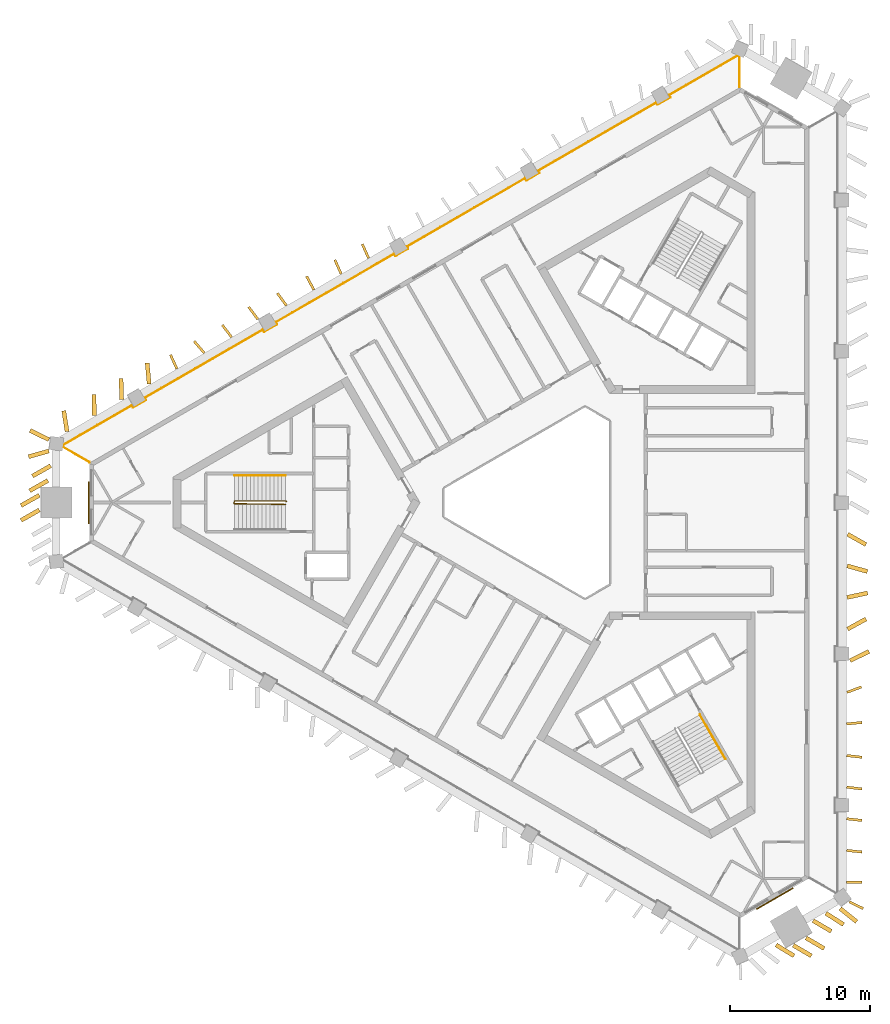
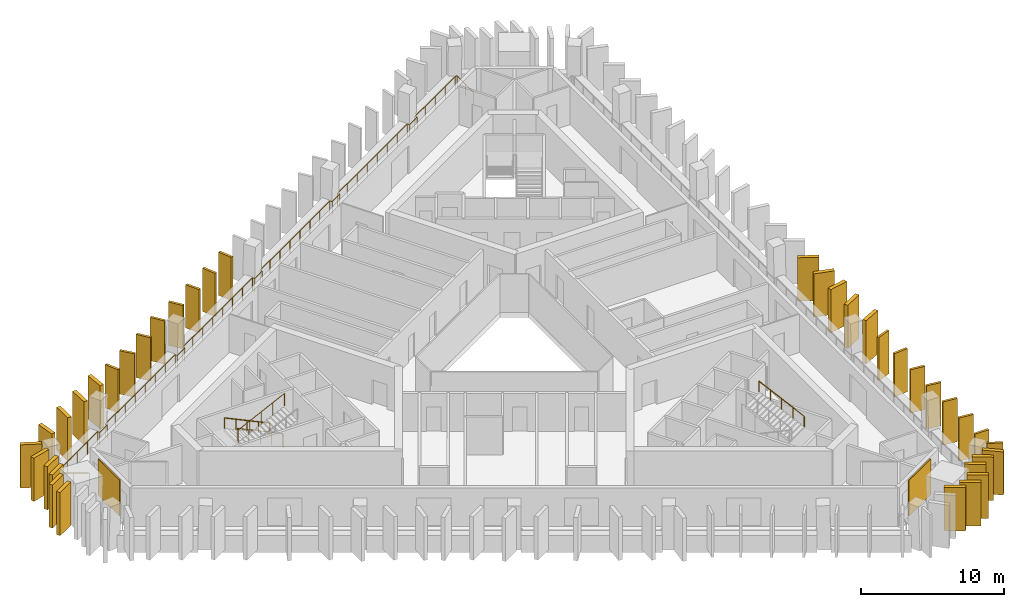
# One storey, part 9 of 10: 37 shading devices, 4 railings, 2 coverings.
"""IFC4 building model written with IfcOpenShell, lengths in metres."""

import ifcopenshell
import ifcopenshell.guid

model = None  # the IFC model being written
_history = None  # IfcOwnerHistory: only IFC2X3 demands one
_inside = {}  # id of a spatial element -> (the spatial element, [elements in it])
_under = {}  # id of a project, library or spatial element -> (it, [spatial elements below it])
_declared = {}  # id of a project -> (the project, [libraries it declares])
_typed = {}  # id of a type object -> (the type object, [elements of that type])
_made_of = {}  # id of a material, layer set ... -> (it, [elements and type objects made of it])


def new_model(schema):
    """Start an empty IFC model of exactly this schema.

    Asked for "IFC4X3", IfcOpenShell would pick the latest addendum, in which some entities
    have other attributes; the version numbers below select the first issue.
    IFC2X3 requires an IfcOwnerHistory on every rooted entity: one is made here for all.
    """
    global model, _history
    if schema == "IFC4X3":
        model = ifcopenshell.file(schema_version=(4, 3, 0, 0))
    else:
        model = ifcopenshell.file(schema=schema)
    _inside.clear()
    _under.clear()
    _declared.clear()
    _typed.clear()
    _made_of.clear()
    _history = None
    if model.schema == "IFC2X3":
        org = make("IfcOrganization", Name="unknown")
        user = make(
            "IfcPersonAndOrganization",
            ThePerson=make("IfcPerson", FamilyName="unknown"),
            TheOrganization=org,
        )
        app = make(
            "IfcApplication",
            ApplicationDeveloper=org,
            Version="unknown",
            ApplicationFullName="unknown",
            ApplicationIdentifier="unknown",
        )
        _history = make(
            "IfcOwnerHistory",
            OwningUser=user,
            OwningApplication=app,
            ChangeAction="ADDED",
            CreationDate=0,
        )
    return model


def make(cls, **values):
    """One entity of the class cls with the attributes given. An attribute that is None is left unset."""
    return model.create_entity(
        cls, **{name: value for name, value in values.items() if value is not None}
    )


def rooted(cls, **values):
    """An entity with a GlobalId (a new one), such as an element, a storey or a relation."""
    return make(cls, GlobalId=ifcopenshell.guid.new(), OwnerHistory=_history, **values)


def si_unit(unit_type, name, prefix=None):
    """IfcSIUnit, for example si_unit("LENGTHUNIT", "METRE", prefix="MILLI")."""
    return make("IfcSIUnit", UnitType=unit_type, Prefix=prefix, Name=name)


def assignment(units):
    """IfcUnitAssignment: the units of a project."""
    return None if units is None else make("IfcUnitAssignment", Units=units)


def point(xyz):
    """IfcCartesianPoint."""
    return None if xyz is None else make("IfcCartesianPoint", Coordinates=xyz)


def direction(xyz):
    """IfcDirection."""
    return None if xyz is None else make("IfcDirection", DirectionRatios=xyz)


def frame(location, z_axis=None, x_axis=None):
    """IfcAxis2Placement3D, a coordinate frame: its origin and axes. An axis left out is left unset."""
    return make(
        "IfcAxis2Placement3D",
        Location=point(location),
        Axis=direction(z_axis),
        RefDirection=direction(x_axis),
    )


def frame_2d(location, x_axis=None):
    """IfcAxis2Placement2D, a coordinate frame in the plane: its origin and x axis."""
    return make(
        "IfcAxis2Placement2D", Location=point(location), RefDirection=direction(x_axis)
    )


def origin():
    """The frame at (0, 0, 0) with its axes left unset."""
    return frame((0.0, 0.0, 0.0))


def origin_2d():
    """The frame at (0, 0) in the plane with its x axis left unset."""
    return frame_2d((0.0, 0.0))


def place(relative_to, where):
    """IfcLocalPlacement: puts the frame where relative to a parent placement (None: the world)."""
    return make(
        "IfcLocalPlacement", PlacementRelTo=relative_to, RelativePlacement=where
    )


def context(
    kind, dimensions, precision=None, world=None, true_north=None, identifier=None
):
    """IfcGeometricRepresentationContext, for example the 3D "Model" context."""
    return make(
        "IfcGeometricRepresentationContext",
        ContextIdentifier=identifier,
        ContextType=kind,
        CoordinateSpaceDimension=dimensions,
        Precision=precision,
        WorldCoordinateSystem=world,
        TrueNorth=true_north,
    )


def subcontext(parent, identifier, kind, view, scale=None):
    """IfcGeometricRepresentationSubContext, for example "Body" below "Model"."""
    return make(
        "IfcGeometricRepresentationSubContext",
        ContextIdentifier=identifier,
        ContextType=kind,
        ParentContext=parent,
        TargetScale=scale,
        TargetView=view,
    )


def project(units=None, contexts=None):
    """IfcProject with its units and contexts."""
    return rooted(
        "IfcProject",
        Name="project",
        RepresentationContexts=contexts,
        UnitsInContext=assignment(units),
    )


def spatial(cls, under=None, at=None, **own):
    """A site, building, storey or space (cls), placed at a placement, below another one or the project."""
    s = rooted(cls, ObjectPlacement=at, **own)
    if under is not None:
        _under.setdefault(under.id(), (under, []))[1].append(s)
    return s


def profile(cls, at=None, kind="AREA", **sizes):
    """A parametric profile (cls). Its sizes go by their IFC names, for example OverallWidth=200.0."""
    return make(cls, ProfileType=kind, Position=at, **sizes)


def rectangle(**sizes):
    """IfcRectangleProfileDef."""
    return profile("IfcRectangleProfileDef", **sizes)


def circle(**sizes):
    """IfcCircleProfileDef."""
    return profile("IfcCircleProfileDef", **sizes)


def extrude(swept, where, along, depth):
    """IfcExtrudedAreaSolid: the profile swept, set in the frame where, extruded along a direction by depth."""
    return make(
        "IfcExtrudedAreaSolid",
        SweptArea=swept,
        Position=where,
        ExtrudedDirection=direction(along),
        Depth=depth,
    )


def shape(context_of_items, identifier, shape_type, items):
    """IfcShapeRepresentation: the items that make up one representation, for example the "Body"."""
    return make(
        "IfcShapeRepresentation",
        ContextOfItems=context_of_items,
        RepresentationIdentifier=identifier,
        RepresentationType=shape_type,
        Items=items,
    )


def material(Name=None, Category=None):
    """IfcMaterial."""
    return make("IfcMaterial", Name=Name, Category=Category)


def layer(
    of_material, thickness, ventilated=None, Name=None, Category=None, Priority=None
):
    """IfcMaterialLayer: one layer of a wall or slab, of a material (None: an air gap)."""
    return make(
        "IfcMaterialLayer",
        Material=of_material,
        LayerThickness=thickness,
        IsVentilated=ventilated,
        Name=Name,
        Category=Category,
        Priority=Priority,
    )


def layer_set(layers, Name=None):
    """IfcMaterialLayerSet."""
    return make("IfcMaterialLayerSet", MaterialLayers=layers, LayerSetName=Name)


def made_of(thing, what):
    """Note that an element or type object is made of a material, layer set ...; save() writes the relation."""
    if what is not None:
        _made_of.setdefault(what.id(), (what, []))[1].append(thing)
    return thing


def type_object(cls, material=None, **own):
    """A type object (cls), such as IfcWallType, which elements share."""
    return made_of(rooted(cls, **own), material)


def element(
    cls,
    number,
    at=None,
    inside=None,
    cuts=None,
    type_object=None,
    material=None,
    context=None,
    identifier="Body",
    shape_type=None,
    held_by="IfcProductDefinitionShape",
    body=None,
    shapes=None,
    **own,
):
    """One element of the class cls, such as IfcWall. Its Tag is "e" and its number.

    at: its placement. inside: the storey or other place that contains it. cuts: it is an
    opening in that element (IfcRelVoidsElement). A single representation is given by context,
    identifier, shape_type and body (its items); several are given by shapes. held_by: the class
    of the entity that holds the representations. save() writes the other relations.
    """
    e = rooted(cls, Tag="e%d" % number, ObjectPlacement=at, **own)
    if body is not None:
        shapes = [shape(context, identifier, shape_type, body)]
    if shapes is not None:
        e.Representation = make(held_by, Representations=shapes)
    if inside is not None:
        _inside.setdefault(inside.id(), (inside, []))[1].append(e)
    if cuts is not None:
        rooted(
            "IfcRelVoidsElement", RelatingBuildingElement=cuts, RelatedOpeningElement=e
        )
    if type_object is not None:
        _typed.setdefault(type_object.id(), (type_object, []))[1].append(e)
    return made_of(e, material)


def aggregate(whole, parts):
    """IfcRelAggregates: a whole, such as a stair, and the parts it consists of."""
    return rooted("IfcRelAggregates", RelatingObject=whole, RelatedObjects=parts)


def save(model, path):
    """Write the relations noted so far, then the file.

    IfcRelAggregates (storeys below a building ...), IfcRelContainedInSpatialStructure (elements
    in a storey), IfcRelDefinesByType, IfcRelAssociatesMaterial and IfcRelDeclares: one each for
    every whole, place, type object, material and project.
    """
    for whole, parts in _under.values():
        aggregate(whole, parts)
    for where, things in _inside.values():
        rooted(
            "IfcRelContainedInSpatialStructure",
            RelatedElements=things,
            RelatingStructure=where,
        )
    for kind, things in _typed.values():
        rooted("IfcRelDefinesByType", RelatedObjects=things, RelatingType=kind)
    for what, things in _made_of.values():
        rooted("IfcRelAssociatesMaterial", RelatedObjects=things, RelatingMaterial=what)
    for by, libraries in _declared.values():
        rooted("IfcRelDeclares", RelatingContext=by, RelatedDefinitions=libraries)
    model.write(path)


model = new_model("IFC4")

# Units and contexts
model_context = context("Model", 3, precision=1e-05, world=origin(), true_north=direction((0.0, 1.0)))
body_context = subcontext(model_context, "Body", "Model", "MODEL_VIEW")
ifc_project = project(units=[si_unit("LENGTHUNIT", "METRE"), si_unit("AREAUNIT", "SQUARE_METRE"), si_unit("VOLUMEUNIT", "CUBIC_METRE"), si_unit("PLANEANGLEUNIT", "RADIAN"), si_unit("MASSUNIT", "GRAM", prefix="KILO")], contexts=[model_context])

# Site, building, storey
site_placement = place(None, origin())
site = spatial("IfcSite", under=ifc_project, at=site_placement, CompositionType="ELEMENT")
building_placement = place(site_placement, origin())
building = spatial("IfcBuilding", under=site, at=building_placement, Name="Jabali Bay Hotel Tower and Convention Centre", CompositionType="ELEMENT")
storey_placement = place(building_placement, frame((0.0, 0.0, 174.800048828125)))
storey = spatial("IfcBuildingStorey", under=building, at=storey_placement, Name="L42", CompositionType="ELEMENT", Elevation=174.800048828125)

# Railing
ifc_material_1 = material(Name="Glass", Category="glass")
railing_type_1 = type_object("IfcRailingType", Name="Loggia glass guard 1100", PredefinedType="BALUSTRADE", material=ifc_material_1)
railing_1_placement = place(storey_placement, frame((42.429931640625, 82.877197265625, 0.0)))
element("IfcRailing", 1, at=railing_1_placement, inside=storey, type_object=railing_type_1, Name="Loggia glass guard L42", PredefinedType="BALUSTRADE", context=body_context, shape_type="SweptSolid", body=[
    extrude(circle(Radius=0.02490234375, at=origin_2d()), frame((0.0, 0.0, 1.0751953125), z_axis=(-0.866055796367, 0.499947354807, 0.0), x_axis=(-0.495670235881, -0.858646568971, 0.13052619222)), (0.0, 0.0, 1.0), 2.192626953125),
    extrude(circle(Radius=0.02490234375, at=origin_2d()), frame((-1.89892578125, 1.09619140625, 1.0751953125), z_axis=(0.117850030494, 0.993031404495, 0.0), x_axis=(-0.984535883169, 0.116841807147, 0.13052619222)), (0.0, 0.0, 1.0), 0.12646484375),
    extrude(circle(Radius=0.02490234375, at=origin_2d()), frame((-1.884033203125, 1.2216796875, 1.0751953125), z_axis=(0.866030760678, 0.499990721473, 0.0), x_axis=(-0.495713231539, 0.858621747466, 0.13052619222)), (0.0, 0.0, 1.0), 5.671875),
    extrude(circle(Radius=0.02490234375, at=origin_2d()), frame((3.028076171875, 4.0576171875, 1.0751953125), z_axis=(0.500486622847, -0.865744269604, 0.0), x_axis=(0.858337707362, 0.496204890408, 0.13052619222)), (0.0, 0.0, 1.0), 0.175048828125),
    extrude(circle(Radius=0.02490234375, at=origin_2d()), frame((3.11572265625, 3.906005859375, 1.0751953125), z_axis=(0.86592997719, 0.500165247297, 0.0), x_axis=(-0.495886264271, 0.858521826194, 0.13052619222)), (0.0, 0.0, 1.0), 1.050048828125),
    extrude(circle(Radius=0.02490234375, at=origin_2d()), frame((4.02490234375, 4.43115234375, 1.0751953125), z_axis=(-0.500044870432, 0.865999496279, 0.0), x_axis=(-0.858590750538, -0.495766917246, 0.13052619222)), (0.0, 0.0, 1.0), 0.1748046875),
    extrude(circle(Radius=0.02490234375, at=origin_2d()), frame((3.9375, 4.58251953125, 1.0751953125), z_axis=(0.866020806236, 0.500007963104, 0.0), x_axis=(-0.495730325665, 0.858611878185, 0.13052619222)), (0.0, 0.0, 1.0), 9.745849609375),
    extrude(circle(Radius=0.02490234375, at=origin_2d()), frame((12.377685546875, 9.45556640625, 1.0751953125), z_axis=(0.499440622861, -0.866348119543, 0.0), x_axis=(0.858936391282, 0.495167839097, 0.13052619222)), (0.0, 0.0, 1.0), 0.175048828125),
    extrude(circle(Radius=0.02490234375, at=origin_2d()), frame((12.465087890625, 9.303955078125, 1.0751953125), z_axis=(0.866088799389, 0.499890179513, 0.0), x_axis=(-0.495613549729, 0.858679289647, 0.13052619222)), (0.0, 0.0, 1.0), 1.050048828125),
    extrude(circle(Radius=0.02490234375, at=origin_2d()), frame((13.37451171875, 9.828857421875, 1.0751953125), z_axis=(-0.500486622847, 0.865744269604, 0.0), x_axis=(-0.858337707362, -0.496204890408, 0.13052619222)), (0.0, 0.0, 1.0), 0.175048828125),
    extrude(circle(Radius=0.02490234375, at=origin_2d()), frame((13.286865234375, 9.98046875, 1.0751953125), z_axis=(0.866020806236, 0.500007963104, 0.0), x_axis=(-0.495730325665, 0.858611878185, 0.13052619222)), (0.0, 0.0, 1.0), 9.745849609375),
    extrude(circle(Radius=0.02490234375, at=origin_2d()), frame((21.72705078125, 14.853515625, 1.0751953125), z_axis=(0.500486622847, -0.865744269604, 0.0), x_axis=(0.858337707362, 0.496204890408, 0.13052619222)), (0.0, 0.0, 1.0), 0.175048828125),
    extrude(circle(Radius=0.02490234375, at=origin_2d()), frame((21.814697265625, 14.701904296875, 1.0751953125), z_axis=(0.866030680601, 0.499990860175, 0.0), x_axis=(-0.495713369054, 0.858621668074, 0.13052619222)), (0.0, 0.0, 1.0), 1.0498046875),
    extrude(circle(Radius=0.02490234375, at=origin_2d()), frame((22.723876953125, 15.226806640625, 1.0751953125), z_axis=(-0.499440622861, 0.866348119543, 0.0), x_axis=(-0.858936391282, -0.495167839097, 0.13052619222)), (0.0, 0.0, 1.0), 0.175048828125),
    extrude(circle(Radius=0.02490234375, at=origin_2d()), frame((22.636474609375, 15.37841796875, 1.0751953125), z_axis=(0.866025390831, 0.500000022436, 0.0), x_axis=(-0.495722452931, 0.858616423559, 0.13052619222)), (0.0, 0.0, 1.0), 9.74560546875),
    extrude(circle(Radius=0.02490234375, at=origin_2d()), frame((31.076416015625, 20.251220703125, 1.0751953125), z_axis=(0.501091290591, -0.865394429433, 0.0), x_axis=(0.857990860123, 0.496804385136, 0.13052619222)), (0.0, 0.0, 1.0), 0.1748046875),
    extrude(circle(Radius=0.02490234375, at=origin_2d()), frame((31.1640625, 20.099853515625, 1.0751953125), z_axis=(0.866030680601, 0.499990860175, 0.0), x_axis=(-0.495713369054, 0.858621668074, 0.13052619222)), (0.0, 0.0, 1.0), 1.0498046875),
    extrude(circle(Radius=0.02490234375, at=origin_2d()), frame((32.0732421875, 20.624755859375, 1.0751953125), z_axis=(-0.499440622861, 0.866348119543, 0.0), x_axis=(-0.858936391282, -0.495167839097, 0.13052619222)), (0.0, 0.0, 1.0), 0.175048828125),
    extrude(circle(Radius=0.02490234375, at=origin_2d()), frame((31.98583984375, 20.7763671875, 1.0751953125), z_axis=(0.866031653467, 0.499989175076, 0.0), x_axis=(-0.495711698372, 0.858622632617, 0.13052619222)), (0.0, 0.0, 1.0), 9.745849609375),
    extrude(circle(Radius=0.02490234375, at=origin_2d()), frame((40.426025390625, 25.649169921875, 1.0751953125), z_axis=(0.499440622861, -0.866348119543, 0.0), x_axis=(0.858936391282, 0.495167839097, 0.13052619222)), (0.0, 0.0, 1.0), 0.175048828125),
    extrude(circle(Radius=0.02490234375, at=origin_2d()), frame((40.513427734375, 25.49755859375, 1.0751953125), z_axis=(0.865988129768, 0.500064554934, 0.0), x_axis=(-0.495786433345, 0.858579481269, 0.13052619222)), (0.0, 0.0, 1.0), 1.050048828125),
    extrude(circle(Radius=0.02490234375, at=origin_2d()), frame((41.4228515625, 26.022705078125, 1.0751953125), z_axis=(-0.500486622847, 0.865744269604, 0.0), x_axis=(-0.858337707362, -0.496204890408, 0.13052619222)), (0.0, 0.0, 1.0), 0.175048828125),
    extrude(circle(Radius=0.02490234375, at=origin_2d()), frame((41.335205078125, 26.17431640625, 1.0751953125), z_axis=(0.866041520497, 0.499972083996, 0.0), x_axis=(-0.495694753509, 0.858632415233, 0.13052619222)), (0.0, 0.0, 1.0), 5.672119140625),
    extrude(circle(Radius=0.02490234375, at=origin_2d()), frame((46.24755859375, 29.01025390625, 1.0751953125), z_axis=(0.9195450827, -0.39298453008, 0.0), x_axis=(0.389622492947, 0.911678247044, 0.13052619222)), (0.0, 0.0, 1.0), 0.126220703125),
    extrude(circle(Radius=0.02490234375, at=origin_2d()), frame((46.363525390625, 28.960693359375, 1.0751953125), z_axis=(0.0, -1.0, 0.0), x_axis=(0.991444861374, 0.0, 0.13052619222)), (0.0, 0.0, 1.0), 2.19287109375),
    extrude(circle(Radius=0.02001953125, at=origin_2d()), origin(), (0.0, 0.0, 1.0), 1.050048828125),
    extrude(circle(Radius=0.02001953125, at=origin_2d()), frame((-0.949462890625, 0.548095703125, 0.0)), (0.0, 0.0, 1.0), 1.050048828125),
    extrude(circle(Radius=0.02001953125, at=origin_2d()), frame((-1.89892578125, 1.09619140625, 0.0)), (0.0, 0.0, 1.0), 1.050048828125),
    extrude(circle(Radius=0.02001953125, at=origin_2d()), frame((-1.884033203125, 1.2216796875, 0.0)), (0.0, 0.0, 1.0), 1.050048828125),
    extrude(circle(Radius=0.02001953125, at=origin_2d()), frame((-0.656005859375, 1.9306640625, 0.0)), (0.0, 0.0, 1.0), 1.050048828125),
    extrude(circle(Radius=0.02001953125, at=origin_2d()), frame((0.572021484375, 2.6396484375, 0.0)), (0.0, 0.0, 1.0), 1.050048828125),
    extrude(circle(Radius=0.02001953125, at=origin_2d()), frame((1.800048828125, 3.3486328125, 0.0)), (0.0, 0.0, 1.0), 1.050048828125),
    extrude(circle(Radius=0.02001953125, at=origin_2d()), frame((3.028076171875, 4.0576171875, 0.0)), (0.0, 0.0, 1.0), 1.050048828125),
    extrude(circle(Radius=0.02001953125, at=origin_2d()), frame((3.11572265625, 3.906005859375, 0.0)), (0.0, 0.0, 1.0), 1.050048828125),
    extrude(circle(Radius=0.02001953125, at=origin_2d()), frame((4.02490234375, 4.43115234375, 0.0)), (0.0, 0.0, 1.0), 1.050048828125),
    extrude(circle(Radius=0.02001953125, at=origin_2d()), frame((3.9375, 4.58251953125, 0.0)), (0.0, 0.0, 1.0), 1.050048828125),
    extrude(circle(Radius=0.02001953125, at=origin_2d()), frame((5.143310546875, 5.278564453125, 0.0)), (0.0, 0.0, 1.0), 1.050048828125),
    extrude(circle(Radius=0.02001953125, at=origin_2d()), frame((6.348876953125, 5.974853515625, 0.0)), (0.0, 0.0, 1.0), 1.050048828125),
    extrude(circle(Radius=0.02001953125, at=origin_2d()), frame((7.5546875, 6.6708984375, 0.0)), (0.0, 0.0, 1.0), 1.050048828125),
    extrude(circle(Radius=0.02001953125, at=origin_2d()), frame((8.760498046875, 7.3671875, 0.0)), (0.0, 0.0, 1.0), 1.050048828125),
    extrude(circle(Radius=0.02001953125, at=origin_2d()), frame((9.96630859375, 8.063232421875, 0.0)), (0.0, 0.0, 1.0), 1.050048828125),
    extrude(circle(Radius=0.02001953125, at=origin_2d()), frame((11.171875, 8.759521484375, 0.0)), (0.0, 0.0, 1.0), 1.050048828125),
    extrude(circle(Radius=0.02001953125, at=origin_2d()), frame((12.377685546875, 9.45556640625, 0.0)), (0.0, 0.0, 1.0), 1.050048828125),
    extrude(circle(Radius=0.02001953125, at=origin_2d()), frame((12.465087890625, 9.303955078125, 0.0)), (0.0, 0.0, 1.0), 1.050048828125),
    extrude(circle(Radius=0.02001953125, at=origin_2d()), frame((13.37451171875, 9.828857421875, 0.0)), (0.0, 0.0, 1.0), 1.050048828125),
    extrude(circle(Radius=0.02001953125, at=origin_2d()), frame((13.286865234375, 9.98046875, 0.0)), (0.0, 0.0, 1.0), 1.050048828125),
    extrude(circle(Radius=0.02001953125, at=origin_2d()), frame((14.49267578125, 10.676513671875, 0.0)), (0.0, 0.0, 1.0), 1.050048828125),
    extrude(circle(Radius=0.02001953125, at=origin_2d()), frame((15.6982421875, 11.372802734375, 0.0)), (0.0, 0.0, 1.0), 1.050048828125),
    extrude(circle(Radius=0.02001953125, at=origin_2d()), frame((16.904052734375, 12.06884765625, 0.0)), (0.0, 0.0, 1.0), 1.050048828125),
    extrude(circle(Radius=0.02001953125, at=origin_2d()), frame((18.10986328125, 12.76513671875, 0.0)), (0.0, 0.0, 1.0), 1.050048828125),
    extrude(circle(Radius=0.02001953125, at=origin_2d()), frame((19.315673828125, 13.461181640625, 0.0)), (0.0, 0.0, 1.0), 1.050048828125),
    extrude(circle(Radius=0.02001953125, at=origin_2d()), frame((20.521240234375, 14.157470703125, 0.0)), (0.0, 0.0, 1.0), 1.050048828125),
    extrude(circle(Radius=0.02001953125, at=origin_2d()), frame((21.72705078125, 14.853515625, 0.0)), (0.0, 0.0, 1.0), 1.050048828125),
    extrude(circle(Radius=0.02001953125, at=origin_2d()), frame((21.814697265625, 14.701904296875, 0.0)), (0.0, 0.0, 1.0), 1.050048828125),
    extrude(circle(Radius=0.02001953125, at=origin_2d()), frame((22.723876953125, 15.226806640625, 0.0)), (0.0, 0.0, 1.0), 1.050048828125),
    extrude(circle(Radius=0.02001953125, at=origin_2d()), frame((22.636474609375, 15.37841796875, 0.0)), (0.0, 0.0, 1.0), 1.050048828125),
    extrude(circle(Radius=0.02001953125, at=origin_2d()), frame((23.84228515625, 16.074462890625, 0.0)), (0.0, 0.0, 1.0), 1.050048828125),
    extrude(circle(Radius=0.02001953125, at=origin_2d()), frame((25.0478515625, 16.770751953125, 0.0)), (0.0, 0.0, 1.0), 1.050048828125),
    extrude(circle(Radius=0.02001953125, at=origin_2d()), frame((26.253662109375, 17.466796875, 0.0)), (0.0, 0.0, 1.0), 1.050048828125),
    extrude(circle(Radius=0.02001953125, at=origin_2d()), frame((27.459228515625, 18.162841796875, 0.0)), (0.0, 0.0, 1.0), 1.050048828125),
    extrude(circle(Radius=0.02001953125, at=origin_2d()), frame((28.6650390625, 18.85888671875, 0.0)), (0.0, 0.0, 1.0), 1.050048828125),
    extrude(circle(Radius=0.02001953125, at=origin_2d()), frame((29.87060546875, 19.55517578125, 0.0)), (0.0, 0.0, 1.0), 1.050048828125),
    extrude(circle(Radius=0.02001953125, at=origin_2d()), frame((31.076416015625, 20.251220703125, 0.0)), (0.0, 0.0, 1.0), 1.050048828125),
    extrude(circle(Radius=0.02001953125, at=origin_2d()), frame((31.1640625, 20.099853515625, 0.0)), (0.0, 0.0, 1.0), 1.050048828125),
    extrude(circle(Radius=0.02001953125, at=origin_2d()), frame((32.0732421875, 20.624755859375, 0.0)), (0.0, 0.0, 1.0), 1.050048828125),
    extrude(circle(Radius=0.02001953125, at=origin_2d()), frame((31.98583984375, 20.7763671875, 0.0)), (0.0, 0.0, 1.0), 1.050048828125),
    extrude(circle(Radius=0.02001953125, at=origin_2d()), frame((33.191650390625, 21.472412109375, 0.0)), (0.0, 0.0, 1.0), 1.050048828125),
    extrude(circle(Radius=0.02001953125, at=origin_2d()), frame((34.397216796875, 22.168701171875, 0.0)), (0.0, 0.0, 1.0), 1.050048828125),
    extrude(circle(Radius=0.02001953125, at=origin_2d()), frame((35.60302734375, 22.86474609375, 0.0)), (0.0, 0.0, 1.0), 1.050048828125),
    extrude(circle(Radius=0.02001953125, at=origin_2d()), frame((36.808837890625, 23.560791015625, 0.0)), (0.0, 0.0, 1.0), 1.050048828125),
    extrude(circle(Radius=0.02001953125, at=origin_2d()), frame((38.0146484375, 24.2568359375, 0.0)), (0.0, 0.0, 1.0), 1.050048828125),
    extrude(circle(Radius=0.02001953125, at=origin_2d()), frame((39.22021484375, 24.953125, 0.0)), (0.0, 0.0, 1.0), 1.050048828125),
    extrude(circle(Radius=0.02001953125, at=origin_2d()), frame((40.426025390625, 25.649169921875, 0.0)), (0.0, 0.0, 1.0), 1.050048828125),
    extrude(circle(Radius=0.02001953125, at=origin_2d()), frame((40.513427734375, 25.49755859375, 0.0)), (0.0, 0.0, 1.0), 1.050048828125),
    extrude(circle(Radius=0.02001953125, at=origin_2d()), frame((41.4228515625, 26.022705078125, 0.0)), (0.0, 0.0, 1.0), 1.050048828125),
    extrude(circle(Radius=0.02001953125, at=origin_2d()), frame((41.335205078125, 26.17431640625, 0.0)), (0.0, 0.0, 1.0), 1.050048828125),
    extrude(circle(Radius=0.02001953125, at=origin_2d()), frame((42.563232421875, 26.88330078125, 0.0)), (0.0, 0.0, 1.0), 1.050048828125),
    extrude(circle(Radius=0.02001953125, at=origin_2d()), frame((43.79150390625, 27.59228515625, 0.0)), (0.0, 0.0, 1.0), 1.050048828125),
    extrude(circle(Radius=0.02001953125, at=origin_2d()), frame((45.01953125, 28.30126953125, 0.0)), (0.0, 0.0, 1.0), 1.050048828125),
    extrude(circle(Radius=0.02001953125, at=origin_2d()), frame((46.24755859375, 29.01025390625, 0.0)), (0.0, 0.0, 1.0), 1.050048828125),
    extrude(circle(Radius=0.02001953125, at=origin_2d()), frame((46.363525390625, 28.960693359375, 0.0)), (0.0, 0.0, 1.0), 1.050048828125),
    extrude(circle(Radius=0.02001953125, at=origin_2d()), frame((46.363525390625, 27.8642578125, 0.0)), (0.0, 0.0, 1.0), 1.050048828125),
    extrude(circle(Radius=0.02001953125, at=origin_2d()), frame((46.363525390625, 26.767822265625, 0.0)), (0.0, 0.0, 1.0), 1.050048828125),
])

# Shading devices
ifc_material_2 = material(Name="Precast concrete C60", Category="concrete")
ifc_layer_1 = layer(ifc_material_2, 0.179931640625)
ifc_layer_set_1 = layer_set([ifc_layer_1], Name="Precast concrete C60")
shading_device_type_1 = type_object("IfcShadingDeviceType", Name="Precast fin 3680 x 1100", PredefinedType="USERDEFINED", material=ifc_layer_set_1)
for number, where, z_axis, x_axis, name in (
    (2, (96.419677734375, 52.94482421875, 0.010009765625), (0.0, 0.0, 1.0), (0.999969834949, -0.007767186911, 0.0), "Fin L42 000"),
    (3, (96.428466796875, 55.199462890625, 0.010009765625), (0.0, 0.0, 1.0), (0.994428578237, -0.105412536189, 0.0), "Fin L42 001"),
    (4, (96.4287109375, 57.4541015625, 0.010009765625), (0.0, 0.0, 1.0), (0.994093037142, -0.108531255897, 0.0), "Fin L42 002"),
):
    element("IfcShadingDevice", number, at=place(storey_placement, frame(where, z_axis=z_axis, x_axis=x_axis)), inside=storey, type_object=shading_device_type_1, Name=name, ObjectType="FIN", PredefinedType="USERDEFINED", context=body_context, shape_type="SweptSolid", body=[
        extrude(rectangle(XDim=1.10009765625, YDim=0.179931640625, at=frame_2d((0.550048828125, 0.0))), origin(), (0.0, 0.0, 1.0), 3.679931640625),
    ])
for number, where, z_axis, x_axis, name in (
    (5, (96.4296875, 59.708740234375, 0.010009765625), (0.0, 0.0, 1.0), (0.993030393749, -0.117858546956, 0.0), "Fin L42 003"),
    (6, (96.42919921875, 61.963134765625, 0.010009765625), (0.0, 0.0, 1.0), (0.993698292837, -0.112087924477, 0.0), "Fin L42 004"),
):
    element("IfcShadingDevice", number, at=place(storey_placement, frame(where, z_axis=z_axis, x_axis=x_axis)), inside=storey, type_object=shading_device_type_1, Name=name, ObjectType="FIN", PredefinedType="USERDEFINED", context=body_context, shape_type="SweptSolid", body=[
        extrude(rectangle(XDim=1.099853515625, YDim=0.179931640625, at=frame_2d((0.5498046875, 0.0))), origin(), (0.0, 0.0, 1.0), 3.679931640625),
    ])
for number, where, z_axis, x_axis, name in (
    (7, (96.427734375, 64.2177734375, 0.010009765625), (0.0, 0.0, 1.0), (0.99543542317, 0.095437509914, 0.0), "Fin L42 005"),
    (8, (96.450439453125, 66.472412109375, 0.010009765625), (0.0, 0.0, 1.0), (0.937247152766, 0.348665706132, 0.0), "Fin L42 006"),
    (9, (62.333251953125, 97.43017578125, 0.010009765625), (0.0, 0.0, 1.0), (-0.40745587149, 0.913224897158, 0.0), "Fin L42 046"),
):
    element("IfcShadingDevice", number, at=place(storey_placement, frame(where, z_axis=z_axis, x_axis=x_axis)), inside=storey, type_object=shading_device_type_1, Name=name, ObjectType="FIN", PredefinedType="USERDEFINED", context=body_context, shape_type="SweptSolid", body=[
        extrude(rectangle(XDim=1.10009765625, YDim=0.179931640625, at=frame_2d((0.550048828125, 0.0))), origin(), (0.0, 0.0, 1.0), 3.679931640625),
    ])
shading_device_1_placement = place(storey_placement, frame((60.380615234375, 96.302978515625, 0.010009765625), z_axis=(0.0, 0.0, 1.0), x_axis=(-0.407085607757, 0.91339000868, 0.0)))
element("IfcShadingDevice", 10, at=shading_device_1_placement, inside=storey, type_object=shading_device_type_1, Name="Fin L42 047", ObjectType="FIN", PredefinedType="USERDEFINED", context=body_context, shape_type="SweptSolid", body=[
    extrude(rectangle(XDim=1.099853515625, YDim=0.179931640625, at=frame_2d((0.5498046875, 0.0))), origin(), (0.0, 0.0, 1.0), 3.679931640625),
])
for number, where, z_axis, x_axis, name in (
    (11, (58.431396484375, 95.170166015625, 0.010009765625), (0.0, 0.0, 1.0), (-0.470933763704, 0.882168572442, 0.0), "Fin L42 048"),
    (12, (56.4755859375, 94.048583984375, 0.010009765625), (0.0, 0.0, 1.0), (-0.589938679947, 0.807448050281, 0.0), "Fin L42 049"),
    (13, (54.436767578125, 93.07080078125, 0.010009765625), (0.0, 0.0, 1.0), (-0.59480284986, 0.803871612758, 0.0), "Fin L42 050"),
    (14, (52.5693359375, 91.7958984375, 0.010009765625), (0.0, 0.0, 1.0), (-0.609860902618, 0.792508472799, 0.0), "Fin L42 051"),
    (15, (50.6142578125, 90.6728515625, 0.010009765625), (0.0, 0.0, 1.0), (-0.6523071588, 0.757954728581, 0.0), "Fin L42 052"),
    (16, (48.666015625, 89.538330078125, 0.010009765625), (0.0, 0.0, 1.0), (-0.41614261584, 0.909299358452, 0.0), "Fin L42 053"),
):
    element("IfcShadingDevice", number, at=place(storey_placement, frame(where, z_axis=z_axis, x_axis=x_axis)), inside=storey, type_object=shading_device_type_1, Name=name, ObjectType="FIN", PredefinedType="USERDEFINED", context=body_context, shape_type="SweptSolid", body=[
        extrude(rectangle(XDim=1.10009765625, YDim=0.179931640625, at=frame_2d((0.550048828125, 0.0))), origin(), (0.0, 0.0, 1.0), 3.679931640625),
    ])
shading_device_2_placement = place(storey_placement, frame((96.612060546875, 51.537353515625, 0.010009765625), z_axis=(0.0, 0.0, 1.0), x_axis=(0.897162556946, -0.441700516656, 0.0)))
element("IfcShadingDevice", 17, at=shading_device_2_placement, inside=storey, type_object=shading_device_type_1, Name="Fin L42 099", ObjectType="FIN", PredefinedType="USERDEFINED", context=body_context, shape_type="SweptSolid", body=[
    extrude(rectangle(XDim=1.099853515625, YDim=0.179931640625, at=frame_2d((0.5498046875, 0.0))), origin(), (0.0, 0.0, 1.0), 3.679931640625),
])
ifc_layer_2 = layer(ifc_material_2, 0.300048828125)
ifc_layer_set_2 = layer_set([ifc_layer_2], Name="Precast concrete C60")
shading_device_type_2 = type_object("IfcShadingDeviceType", Name="Precast fin 3680 x 1500", PredefinedType="USERDEFINED", material=ifc_layer_set_2)
shading_device_3_placement = place(storey_placement, frame((96.668212890625, 68.72705078125, 0.010009765625), z_axis=(0.0, 0.0, 1.0), x_axis=(0.895596110165, 0.444868078713, 0.0)))
element("IfcShadingDevice", 18, at=shading_device_3_placement, inside=storey, type_object=shading_device_type_2, Name="Fin L42 007", ObjectType="FIN", PredefinedType="USERDEFINED", context=body_context, shape_type="SweptSolid", body=[
    extrude(rectangle(XDim=1.499755859375, YDim=0.300048828125, at=frame_2d((0.75, 0.0))), origin(), (0.0, 0.0, 1.0), 3.679931640625),
])
for number, where, z_axis, x_axis, name in (
    (19, (96.4912109375, 70.981689453125, 0.010009765625), (0.0, 0.0, 1.0), (0.876823476565, 0.480812428026, 0.0), "Fin L42 008"),
    (20, (96.450927734375, 73.236328125, 0.010009765625), (0.0, 0.0, 1.0), (0.977217476563, 0.212240437948, 0.0), "Fin L42 009"),
    (21, (96.45947265625, 75.49072265625, 0.010009765625), (0.0, 0.0, 1.0), (0.962942040271, -0.269708411212, 0.0), "Fin L42 010"),
    (22, (96.492919921875, 77.745361328125, 0.010009765625), (0.0, 0.0, 1.0), (0.869940726606, -0.493156295906, 0.0), "Fin L42 011"),
    (23, (46.686279296875, 88.4580078125, 0.010009765625), (0.0, 0.0, 1.0), (-0.092281884164, 0.995732922954, 0.0), "Fin L42 054"),
    (24, (44.729736328125, 87.337890625, 0.010009765625), (0.0, 0.0, 1.0), (-0.031412596484, 0.999506502621, 0.0), "Fin L42 055"),
    (25, (42.77587890625, 86.212646484375, 0.010009765625), (0.0, 0.0, 1.0), (-0.013347337696, 0.999910920321, 0.0), "Fin L42 056"),
    (26, (40.833251953125, 85.068359375, 0.010009765625), (0.0, 0.0, 1.0), (-0.156238359769, 0.987719380663, 0.0), "Fin L42 057"),
    (27, (39.533203125, 83.679443359375, 0.010009765625), (0.0, 0.0, 1.0), (-0.962257529249, -0.272140492034, 0.0), "Fin L42 058"),
    (28, (39.669189453125, 82.628173828125, 0.010009765625), (0.0, 0.0, 1.0), (-0.869831289423, -0.493349296078, 0.0), "Fin L42 059"),
):
    element("IfcShadingDevice", number, at=place(storey_placement, frame(where, z_axis=z_axis, x_axis=x_axis)), inside=storey, type_object=shading_device_type_2, Name=name, ObjectType="FIN", PredefinedType="USERDEFINED", context=body_context, shape_type="SweptSolid", body=[
        extrude(rectangle(XDim=1.5, YDim=0.300048828125, at=frame_2d((0.75, 0.0))), origin(), (0.0, 0.0, 1.0), 3.679931640625),
    ])
shading_device_4_placement = place(storey_placement, frame((39.467529296875, 81.576904296875, 0.010009765625), z_axis=(0.0, 0.0, 1.0), x_axis=(-0.869870897648, -0.49327945571, 0.0)))
element("IfcShadingDevice", 29, at=shading_device_4_placement, inside=storey, type_object=shading_device_type_2, Name="Fin L42 060", ObjectType="FIN", PredefinedType="USERDEFINED", context=body_context, shape_type="SweptSolid", body=[
    extrude(rectangle(XDim=1.500244140625, YDim=0.300048828125, at=frame_2d((0.75, 0.0))), origin(), (0.0, 0.0, 1.0), 3.679931640625),
])
for number, where, z_axis, x_axis, name in (
    (30, (38.856689453125, 80.525634765625, 0.010009765625), (0.0, 0.0, 1.0), (-0.869831289423, -0.493349296078, 0.0), "Fin L42 061"),
    (31, (38.856689453125, 79.474365234375, 0.010009765625), (0.0, 0.0, 1.0), (-0.869831289423, -0.493349296078, 0.0), "Fin L42 062"),
):
    element("IfcShadingDevice", number, at=place(storey_placement, frame(where, z_axis=z_axis, x_axis=x_axis)), inside=storey, type_object=shading_device_type_2, Name=name, ObjectType="FIN", PredefinedType="USERDEFINED", context=body_context, shape_type="SweptSolid", body=[
        extrude(rectangle(XDim=1.5, YDim=0.300048828125, at=frame_2d((0.75, 0.0))), origin(), (0.0, 0.0, 1.0), 3.679931640625),
    ])
shading_device_5_placement = place(storey_placement, frame((91.390380859375, 48.45703125, 0.010009765625), z_axis=(0.0, 0.0, 1.0), x_axis=(0.855071018767, -0.518510899466, 0.0)))
element("IfcShadingDevice", 32, at=shading_device_5_placement, inside=storey, type_object=shading_device_type_2, Name="Fin L42 093", ObjectType="FIN", PredefinedType="USERDEFINED", context=body_context, shape_type="SweptSolid", body=[
    extrude(rectangle(XDim=1.500244140625, YDim=0.300048828125, at=frame_2d((0.75, 0.0))), origin(), (0.0, 0.0, 1.0), 3.679931640625),
])
for number, where, z_axis, x_axis, name in (
    (33, (92.616455078125, 48.43603515625, 0.010009765625), (0.0, 0.0, 1.0), (0.862210257959, -0.506550561218, 0.0), "Fin L42 094"),
    (34, (93.52685546875, 48.961669921875, 0.010009765625), (0.0, 0.0, 1.0), (0.862210257959, -0.506550561218, 0.0), "Fin L42 095"),
    (35, (94.031005859375, 50.191162109375, 0.010009765625), (0.0, 0.0, 1.0), (0.862139163582, -0.506671552998, 0.0), "Fin L42 096"),
    (36, (94.938720703125, 50.72119140625, 0.010009765625), (0.0, 0.0, 1.0), (0.841759669914, -0.539852441049, 0.0), "Fin L42 097"),
):
    element("IfcShadingDevice", number, at=place(storey_placement, frame(where, z_axis=z_axis, x_axis=x_axis)), inside=storey, type_object=shading_device_type_2, Name=name, ObjectType="FIN", PredefinedType="USERDEFINED", context=body_context, shape_type="SweptSolid", body=[
        extrude(rectangle(XDim=1.5, YDim=0.300048828125, at=frame_2d((0.75, 0.0))), origin(), (0.0, 0.0, 1.0), 3.679931640625),
    ])
shading_device_6_placement = place(storey_placement, frame((95.9609375, 51.05322265625, 0.010009765625), z_axis=(0.0, 0.0, 1.0), x_axis=(0.781329040881, -0.624119323428, 0.0)))
element("IfcShadingDevice", 37, at=shading_device_6_placement, inside=storey, type_object=shading_device_type_2, Name="Fin L42 098", ObjectType="FIN", PredefinedType="USERDEFINED", context=body_context, shape_type="SweptSolid", body=[
    extrude(rectangle(XDim=1.500244140625, YDim=0.300048828125, at=frame_2d((0.75, 0.0))), origin(), (0.0, 0.0, 1.0), 3.679931640625),
])
shading_device_7_placement = place(storey_placement, frame((39.53662109375, 84.48974609375, 0.010009765625), z_axis=(0.0, 0.0, 1.0), x_axis=(-0.899129499022, 0.43768269784, 0.0)))
element("IfcShadingDevice", 38, at=shading_device_7_placement, inside=storey, type_object=shading_device_type_2, Name="Fin L42 102", ObjectType="FIN", PredefinedType="USERDEFINED", context=body_context, shape_type="SweptSolid", body=[
    extrude(rectangle(XDim=1.5, YDim=0.300048828125, at=frame_2d((0.75, 0.0))), origin(), (0.0, 0.0, 1.0), 3.679931640625),
])

# Coverings
ifc_material_3 = material(Name="Precast concrete C40/50", Category="concrete")
ifc_layer_3 = layer(ifc_material_3, 0.080078125)
ifc_layer_set_3 = layer_set([ifc_layer_3], Name="Precast concrete C40/50")
covering_type = type_object("IfcCoveringType", Name="Relief panel 3000 x 3050", PredefinedType="CLADDING", material=ifc_layer_set_3)
for number, where, z_axis, x_axis, name in (
    (39, (42.389892578125, 80.0, 0.10009765625), (0.0, 0.0, 1.0), (0.0, 1.0, 0.0), "Relief panel L42"),
    (40, (91.304931640625, 51.7587890625, 0.10009765625), (0.0, 0.0, 1.0), (-0.866025416543, -0.499999977902, 0.0), "Relief panel L42"),
):
    element("IfcCovering", number, at=place(storey_placement, frame(where, z_axis=z_axis, x_axis=x_axis)), inside=storey, type_object=covering_type, Name=name, PredefinedType="CLADDING", context=body_context, shape_type="SweptSolid", body=[
        extrude(rectangle(XDim=3.0, YDim=0.080078125, at=origin_2d()), origin(), (0.0, 0.0, 1.0), 3.050048828125),
    ])

# Railings
ifc_material_4 = material(Name="Steel Q355B", Category="steel")
railing_type_2 = type_object("IfcRailingType", Name="Stair guard 1100", PredefinedType="GUARDRAIL", material=ifc_material_4)
railing_2_placement = place(storey_placement, frame((56.469970703125, 80.074951171875, 0.0)))
element("IfcRailing", 41, at=railing_2_placement, inside=storey, type_object=railing_type_2, Name="L42 ST1 stair guard 1", PredefinedType="GUARDRAIL", context=body_context, shape_type="SweptSolid", body=[
    extrude(circle(Radius=0.02392578125, at=origin_2d()), frame((0.0, 0.0, 1.076171875), z_axis=(-0.333993628408, 0.333993628408, 0.881417331555), x_axis=(-0.707106781187, -0.707106781187, 0.0)), (0.0, 0.0, 1.0), 0.14990234375),
    extrude(circle(Radius=0.02392578125, at=origin_2d()), frame((-0.050048828125, 0.050048828125, 1.2080078125), z_axis=(-0.904350763662, 0.0, 0.426789990819), x_axis=(0.0, -1.0, 0.0)), (0.0, 0.0, 1.0), 4.02490234375),
    extrude(circle(Radius=0.02392578125, at=origin_2d()), frame((-3.68994140625, 0.050048828125, 2.92578125), z_axis=(-0.242814311512, -0.970072785993, 0.0), x_axis=(0.970072785993, -0.242814311512, 0.0)), (0.0, 0.0, 1.0), 0.2060546875),
    extrude(circle(Radius=0.02392578125, at=origin_2d()), frame((-3.739990234375, -0.14990234375, 2.92578125), z_axis=(0.893864111827, -0.012124000458, 0.448174026692), x_axis=(0.013562335953, 0.999908027292, 0.0)), (0.0, 0.0, 1.0), 4.128173828125),
    extrude(circle(Radius=0.02099609375, at=origin_2d()), origin(), (0.0, 0.0, 1.0), 1.052001953125),
    extrude(circle(Radius=0.02099609375, at=origin_2d()), frame((-0.050048828125, 0.050048828125, 0.132080078125)), (0.0, 0.0, 1.0), 1.052001953125),
    extrude(circle(Radius=0.02099609375, at=origin_2d()), frame((-0.9599609375, 0.050048828125, 0.5615234375)), (0.0, 0.0, 1.0), 1.052001953125),
    extrude(circle(Radius=0.02099609375, at=origin_2d()), frame((-1.8701171875, 0.050048828125, 0.990966796875)), (0.0, 0.0, 1.0), 1.052001953125),
    extrude(circle(Radius=0.02099609375, at=origin_2d()), frame((-2.780029296875, 0.050048828125, 1.42041015625)), (0.0, 0.0, 1.0), 1.052001953125),
    extrude(circle(Radius=0.02099609375, at=origin_2d()), frame((-3.68994140625, 0.050048828125, 1.849853515625)), (0.0, 0.0, 1.0), 1.052001953125),
    extrude(circle(Radius=0.02099609375, at=origin_2d()), frame((-3.739990234375, -0.14990234375, 1.849853515625)), (0.0, 0.0, 1.0), 1.052001953125),
    extrude(circle(Radius=0.02099609375, at=origin_2d()), frame((-2.8173828125, -0.162353515625, 2.3125)), (0.0, 0.0, 1.0), 1.052001953125),
    extrude(circle(Radius=0.02099609375, at=origin_2d()), frame((-1.89501953125, -0.1748046875, 2.77490234375)), (0.0, 0.0, 1.0), 1.052001953125),
    extrude(circle(Radius=0.02099609375, at=origin_2d()), frame((-0.97265625, -0.1875, 3.2373046875)), (0.0, 0.0, 1.0), 1.052001953125),
    extrude(circle(Radius=0.02099609375, at=origin_2d()), frame((-0.050048828125, -0.199951171875, 3.699951171875)), (0.0, 0.0, 1.0), 1.052001953125),
])
railing_type_3 = type_object("IfcRailingType", Name="Stair handrail 900", PredefinedType="HANDRAIL", material=ifc_material_4)
railing_3_placement = place(storey_placement, frame((56.419921875, 81.925048828125, 0.132080078125)))
element("IfcRailing", 42, at=railing_3_placement, inside=storey, type_object=railing_type_3, Name="L42 ST1 stair handrail 1", PredefinedType="HANDRAIL", context=body_context, shape_type="SweptSolid", body=[
    extrude(circle(Radius=0.02392578125, at=origin_2d()), frame((0.0, 0.0, 0.8759765625), z_axis=(-0.904350763662, 0.0, 0.426789990819), x_axis=(0.0, -1.0, 0.0)), (0.0, 0.0, 1.0), 4.02490234375),
    extrude(circle(Radius=0.02099609375, at=origin_2d()), origin(), (0.0, 0.0, 1.0), 0.851806640625),
    extrude(circle(Radius=0.02099609375, at=origin_2d()), frame((-0.909912109375, 0.0, 0.429443359375)), (0.0, 0.0, 1.0), 0.851806640625),
    extrude(circle(Radius=0.02099609375, at=origin_2d()), frame((-1.81982421875, 0.0, 0.85888671875)), (0.0, 0.0, 1.0), 0.851806640625),
    extrude(circle(Radius=0.02099609375, at=origin_2d()), frame((-2.72998046875, 0.0, 1.288330078125)), (0.0, 0.0, 1.0), 0.851806640625),
    extrude(circle(Radius=0.02099609375, at=origin_2d()), frame((-3.639892578125, 0.0, 1.7177734375)), (0.0, 0.0, 1.0), 0.851806640625),
])
railing_4_placement = place(storey_placement, frame((87.777099609375, 61.719482421875, 1.982177734375)))
element("IfcRailing", 43, at=railing_4_placement, inside=storey, type_object=railing_type_3, Name="L42 ST3 stair handrail 2", PredefinedType="HANDRAIL", context=body_context, shape_type="SweptSolid", body=[
    extrude(circle(Radius=0.02392578125, at=origin_2d()), frame((0.0, 0.0, 0.8759765625), z_axis=(-0.452190331055, 0.783190014029, 0.426775475427), x_axis=(-0.866018046521, -0.500012742938, 0.0)), (0.0, 0.0, 1.0), 4.02490234375),
    extrude(circle(Radius=0.02099609375, at=origin_2d()), origin(), (0.0, 0.0, 1.0), 0.851806640625),
    extrude(circle(Radius=0.02099609375, at=origin_2d()), frame((-0.455078125, 0.7880859375, 0.429443359375)), (0.0, 0.0, 1.0), 0.851806640625),
    extrude(circle(Radius=0.02099609375, at=origin_2d()), frame((-0.91015625, 1.576171875, 0.85888671875)), (0.0, 0.0, 1.0), 0.851806640625),
    extrude(circle(Radius=0.02099609375, at=origin_2d()), frame((-1.364990234375, 2.3642578125, 1.288330078125)), (0.0, 0.0, 1.0), 0.851806640625),
    extrude(circle(Radius=0.02099609375, at=origin_2d()), frame((-1.820068359375, 3.15234375, 1.7177734375)), (0.0, 0.0, 1.0), 0.851806640625),
])

save(model, "model.ifc")
